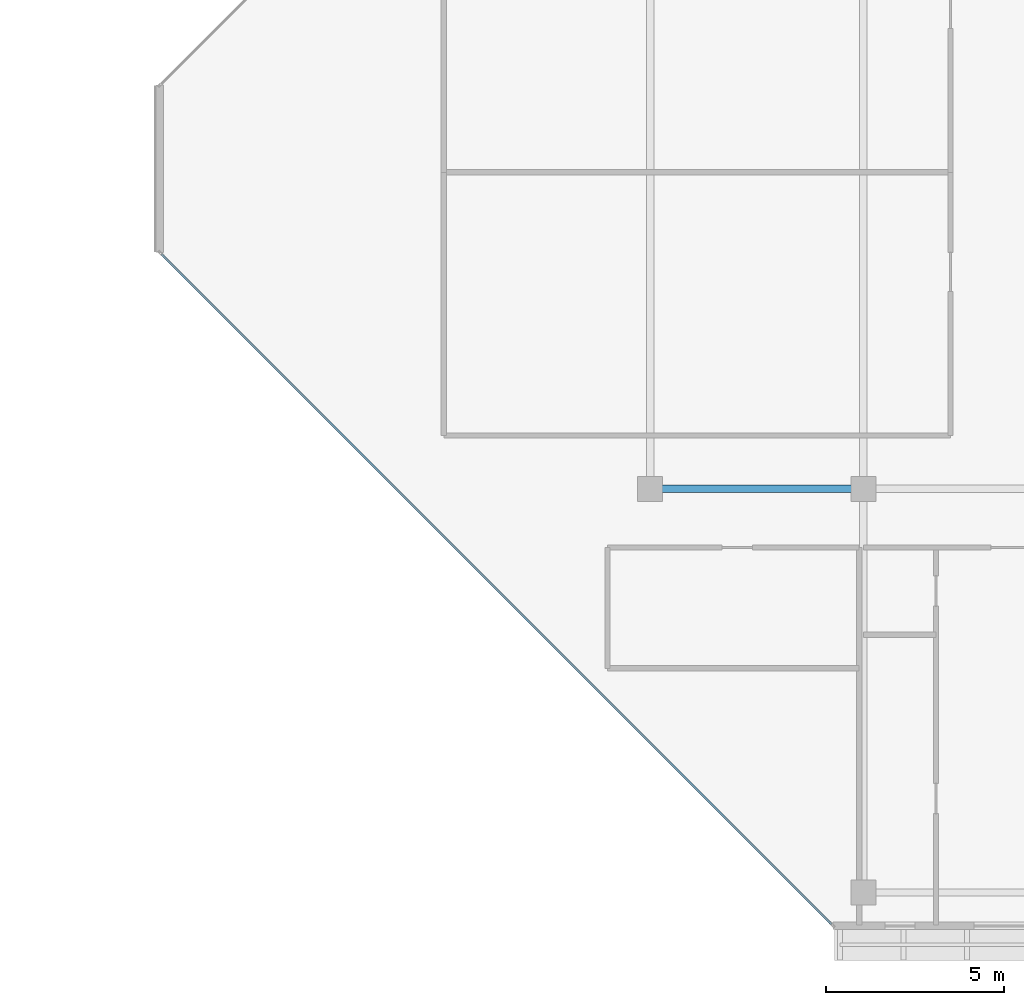
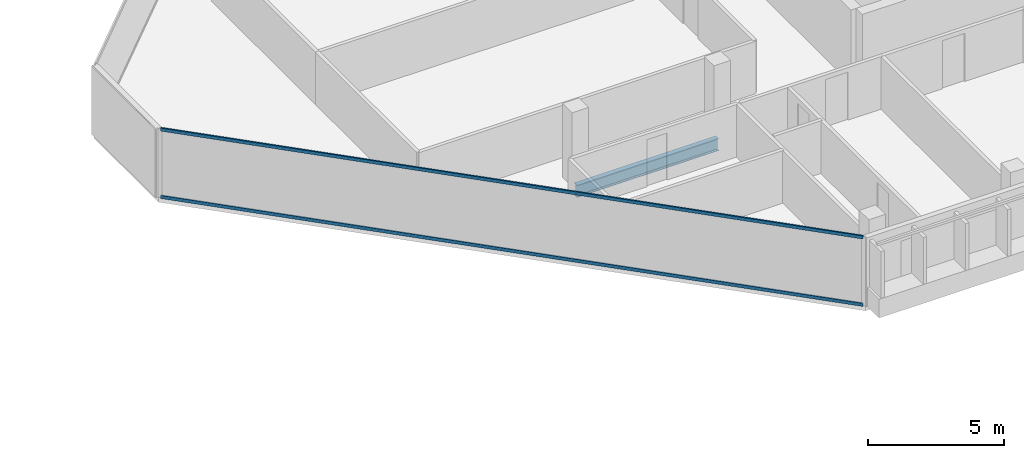
# One storey, part 9 of 28: 2 members, 1 beam, 1 element without a shape of its own.
"""IFC4 building model written with IfcOpenShell, lengths in metres."""

from ifc_helpers import new_model, si_unit, direction, frame, origin, origin_2d, place, context, subcontext, project, spatial, hollow_rectangle, i_section, extrude, material, layer, layer_set, material_profile, profile_set, type_object, element, aggregate, save


model = new_model("IFC4")

# Units and contexts
model_context = context("Model", 3, precision=1e-05, world=origin(), true_north=direction((0.0, 1.0)))
body_context = subcontext(model_context, "Body", "Model", "MODEL_VIEW")
ifc_project = project(units=[si_unit("LENGTHUNIT", "METRE"), si_unit("AREAUNIT", "SQUARE_METRE"), si_unit("VOLUMEUNIT", "CUBIC_METRE"), si_unit("PLANEANGLEUNIT", "RADIAN"), si_unit("MASSUNIT", "GRAM", prefix="KILO")], contexts=[model_context])

# Site, building, storey
site_placement = place(None, origin())
site = spatial("IfcSite", under=ifc_project, at=site_placement, CompositionType="ELEMENT")
building_placement = place(site_placement, origin())
building = spatial("IfcBuilding", under=site, at=building_placement, Name="Tanjung Sevakor Pilgrim Tower", CompositionType="ELEMENT")
storey_placement = place(building_placement, frame((0.0, 0.0, 239.25)))
storey = spatial("IfcBuildingStorey", under=building, at=storey_placement, Name="L67", CompositionType="ELEMENT", Elevation=239.25)

# Beam
ifc_material_1 = material(Name="Steel S355J2", Category="steel")
ifc_material_profile_1 = material_profile(ifc_material_1, i_section(OverallWidth=0.2119140625, OverallDepth=0.54443359375, WebThickness=0.0126953125, FlangeThickness=0.021240234375, FilletRadius=0.0126953125, at=origin_2d()))
ifc_profile_set_1 = profile_set([ifc_material_profile_1], Name="Steel S355J2")
beam_type = type_object("IfcBeamType", Name="BM-B-G5-UB_533x210x122", PredefinedType="BEAM", material=ifc_profile_set_1)
beam_placement = place(storey_placement, frame((66.0, 24.60009765625, -0.4921875), z_axis=(1.0, 0.0, 0.0), x_axis=(0.0, 1.0, 0.0)))
element("IfcBeam", 1, at=beam_placement, inside=storey, type_object=beam_type, Name="L67 Primary Floor Girder EAST Y246-01", PredefinedType="BEAM", context=body_context, shape_type="SweptSolid", body=[
    extrude(i_section(OverallWidth=0.2119140625, OverallDepth=0.54443359375, WebThickness=0.0126953125, FlangeThickness=0.021240234375, FilletRadius=0.0126953125, at=origin_2d()), origin(), (0.0, 0.0, 1.0), 6.0),
])

# Curtain wall, members
ifc_material_2 = material(Name="Aluminium 6063-T6 and Low-E Glass", Category="aluminium")
ifc_layer = layer(ifc_material_2, 0.179931640625)
ifc_layer_set = layer_set([ifc_layer], Name="CW-SYS-CHAM")
curtain_wall_type = type_object("IfcCurtainWallType", Name="CW-SYS-CHAM", PredefinedType="NOTDEFINED", material=ifc_layer_set)
curtain_wall_placement = place(storey_placement, origin())
curtain_wall = element("IfcCurtainWall", 2, at=curtain_wall_placement, inside=storey, type_object=curtain_wall_type, Name="L67 Curtain Wall CW-CHM-L67-EAST-7", PredefinedType="NOTDEFINED")
ifc_material_3 = material(Name="Aluminium 6063-T6", Category="aluminium")
ifc_material_profile_2 = material_profile(ifc_material_3, hollow_rectangle(XDim=0.06494140625, YDim=0.139892578125, WallThickness=0.00390625, at=origin_2d()))
ifc_profile_set_2 = profile_set([ifc_material_profile_2], Name="Aluminium 6063-T6")
member_type = type_object("IfcMemberType", Name="TYPE-CWT-1", PredefinedType="USERDEFINED", material=ifc_profile_set_2)
member_1_placement = place(storey_placement, frame((52.255859375, 31.19970703125, 0.032470703125), z_axis=(0.707106781187, -0.707106781187, 0.0), x_axis=(0.707106781187, 0.707106781187, 0.0)))
member_1 = element("IfcMember", 3, at=member_1_placement, type_object=member_type, Name="CW-CHM transom 1.1", ObjectType="TRANSOM", PredefinedType="USERDEFINED", context=body_context, shape_type="SweptSolid", body=[
    extrude(hollow_rectangle(XDim=0.06494140625, YDim=0.139892578125, WallThickness=0.00390625, at=origin_2d()), origin(), (0.0, 0.0, 1.0), 26.649169921875),
])
member_2_placement = place(storey_placement, frame((52.255859375, 31.19970703125, 3.047607421875), z_axis=(0.707106781187, -0.707106781187, 0.0), x_axis=(0.707106781187, 0.707106781187, 0.0)))
member_2 = element("IfcMember", 4, at=member_2_placement, type_object=member_type, Name="CW-CHM transom 1.2", ObjectType="TRANSOM", PredefinedType="USERDEFINED", context=body_context, shape_type="SweptSolid", body=[
    extrude(hollow_rectangle(XDim=0.06494140625, YDim=0.139892578125, WallThickness=0.00390625, at=origin_2d()), origin(), (0.0, 0.0, 1.0), 26.649169921875),
])
aggregate(curtain_wall, [member_1, member_2])

save(model, "model.ifc")
